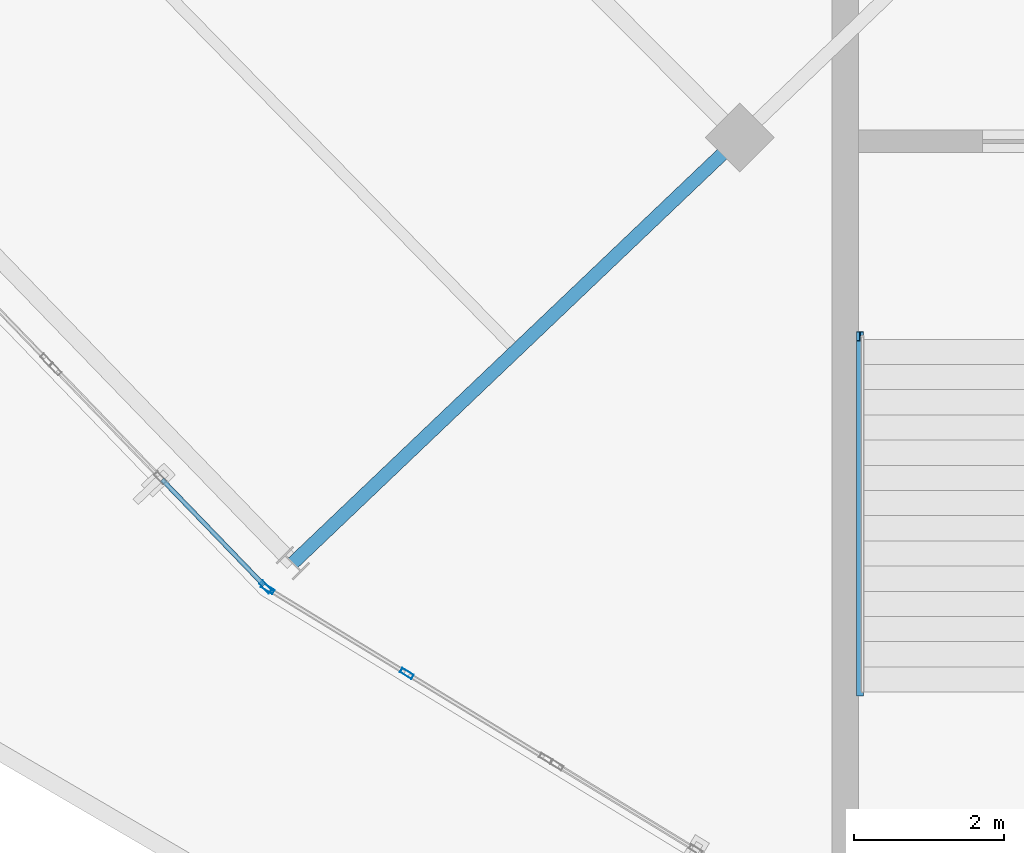
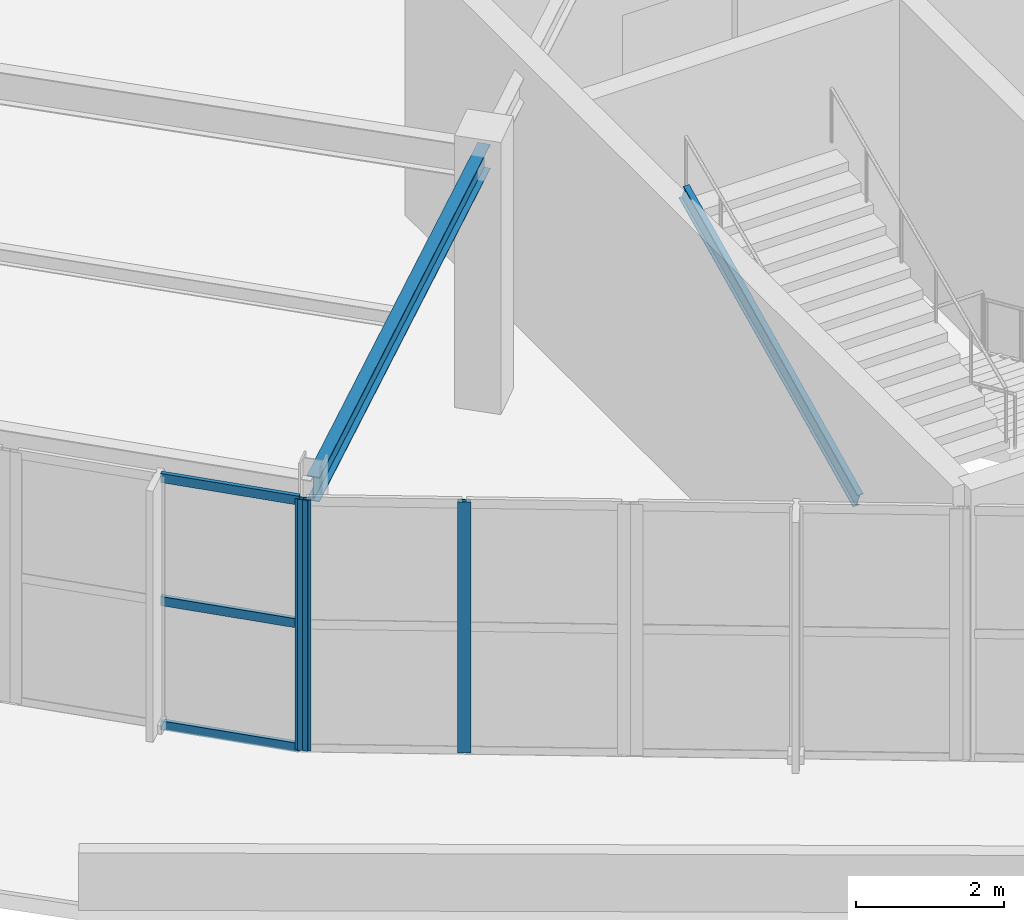
# One storey, part 22 of 126: 7 members, 1 beam, 2 elements without a shape of their own.
"""IFC4 building model written with IfcOpenShell, lengths in metres."""

from ifc_helpers import new_model, si_unit, direction, frame, origin, origin_2d, place, context, subcontext, project, spatial, hollow_rectangle, i_section, extrude, material, layer, layer_set, material_profile, profile_set, type_object, element, aggregate, save


model = new_model("IFC4")

# Units and contexts
model_context = context("Model", 3, precision=1e-05, world=origin(), true_north=direction((0.0, 1.0)))
body_context = subcontext(model_context, "Body", "Model", "MODEL_VIEW")
ifc_project = project(units=[si_unit("LENGTHUNIT", "METRE"), si_unit("AREAUNIT", "SQUARE_METRE"), si_unit("VOLUMEUNIT", "CUBIC_METRE"), si_unit("PLANEANGLEUNIT", "RADIAN"), si_unit("MASSUNIT", "GRAM", prefix="KILO")], contexts=[model_context])

# Site, building, storey
site_placement = place(None, origin())
site = spatial("IfcSite", under=ifc_project, at=site_placement, CompositionType="ELEMENT")
building_placement = place(site_placement, origin())
building = spatial("IfcBuilding", under=site, at=building_placement, Name="Kalgoora Escarpment Arena", CompositionType="ELEMENT")
storey_placement = place(building_placement, frame((0.0, 0.0, 18.89990234375)))
storey = spatial("IfcBuildingStorey", under=building, at=storey_placement, Name="L04", CompositionType="ELEMENT", Elevation=18.89990234375)

# Beam
ifc_material_1 = material(Name="Structural steel AS/NZS 3679 (300 MPa)", Category="steel")
ifc_material_profile_1 = material_profile(ifc_material_1, i_section(OverallWidth=0.177978515625, OverallDepth=0.406005859375, WebThickness=0.0078125, FlangeThickness=0.0126953125, at=origin_2d()))
ifc_profile_set_1 = profile_set([ifc_material_profile_1], Name="Structural steel AS/NZS 3679 (300 MPa)")
beam_type = type_object("IfcBeamType", Name="BM-GIRDER-410UB59.7", PredefinedType="USERDEFINED", material=ifc_profile_set_1)
beam_placement = place(storey_placement, frame((47.5693359375, 29.351806640625, 4.007080078125), z_axis=(-0.724130144905, -0.689663347757, 0.0), x_axis=(0.689663347757, -0.724130144905, 0.0)))
element("IfcBeam", 1, at=beam_placement, inside=storey, type_object=beam_type, Name="L04 Radial concourse girder 410UB59.7", ObjectType="GIRDER", PredefinedType="USERDEFINED", context=body_context, shape_type="SweptSolid", body=[
    extrude(i_section(OverallWidth=0.177978515625, OverallDepth=0.406005859375, WebThickness=0.0078125, FlangeThickness=0.0126953125, at=origin_2d()), origin(), (0.0, 0.0, 1.0), 8.20263671875),
])

# Curtain wall, members
ifc_material_2 = material(Name=" Champagne anodised aluminium & double-glazed low-E", Category="aluminium")
ifc_layer_1 = layer(ifc_material_2, 0.154052734375)
ifc_layer_set_1 = layer_set([ifc_layer_1], Name="CW-UNIT-06")
curtain_wall_type_1 = type_object("IfcCurtainWallType", Name="CW-UNIT-06", PredefinedType="NOTDEFINED", material=ifc_layer_set_1)
curtain_wall_1_placement = place(storey_placement, origin())
curtain_wall_1 = element("IfcCurtainWall", 2, at=curtain_wall_1_placement, inside=storey, type_object=curtain_wall_type_1, Name="L04 unitised facade curtain wall 125", PredefinedType="NOTDEFINED")
ifc_material_3 = material(Name="Anodised aluminium 6063-T6", Category="aluminium")
ifc_material_profile_2 = material_profile(ifc_material_3, hollow_rectangle(XDim=0.06494140625, YDim=0.179931640625, WallThickness=0.00390625, at=origin_2d()))
ifc_profile_set_2 = profile_set([ifc_material_profile_2], Name="Anodised aluminium 6063-T6")
member_type_1 = type_object("IfcMemberType", Name="MEM-CW-MULL-180", PredefinedType="MULLION", material=ifc_profile_set_2)
member_1_placement = place(storey_placement, frame((43.145263671875, 22.22705078125, 0.02001953125), z_axis=(0.0, 0.0, 1.0), x_axis=(-0.521039836105, -0.85353235978, 0.0)))
member_1 = element("IfcMember", 3, at=member_1_placement, type_object=member_type_1, Name="CW-06 mullion 2", PredefinedType="MULLION", context=body_context, shape_type="SweptSolid", body=[
    extrude(hollow_rectangle(XDim=0.06494140625, YDim=0.179931640625, WallThickness=0.00390625, at=origin_2d()), origin(), (0.0, 0.0, 1.0), 4.150146484375),
])
member_2_placement = place(storey_placement, frame((41.295654296875, 23.35595703125, 0.02001953125), z_axis=(0.0, 0.0, 1.0), x_axis=(-0.521039836105, -0.85353235978, 0.0)))
member_2 = element("IfcMember", 4, at=member_2_placement, type_object=member_type_1, Name="CW-06 mullion 3", PredefinedType="MULLION", context=body_context, shape_type="SweptSolid", body=[
    extrude(hollow_rectangle(XDim=0.06494140625, YDim=0.179931640625, WallThickness=0.00390625, at=origin_2d()), origin(), (0.0, 0.0, 1.0), 4.150146484375),
])
aggregate(curtain_wall_1, [member_1, member_2])

ifc_material_4 = material(Name=" Champagne anodised aluminium & double-glazed low-E", Category="aluminium")
ifc_layer_2 = layer(ifc_material_4, 0.157958984375)
ifc_layer_set_2 = layer_set([ifc_layer_2], Name="CW-UNIT-07")
curtain_wall_type_2 = type_object("IfcCurtainWallType", Name="CW-UNIT-07", PredefinedType="NOTDEFINED", material=ifc_layer_set_2)
curtain_wall_2_placement = place(storey_placement, origin())
curtain_wall_2 = element("IfcCurtainWall", 5, at=curtain_wall_2_placement, inside=storey, type_object=curtain_wall_type_2, Name="L04 unitised facade curtain wall 126", PredefinedType="NOTDEFINED")
member_3_placement = place(storey_placement, frame((41.269287109375, 23.377197265625, 0.02001953125), z_axis=(0.0, 0.0, 1.0), x_axis=(-0.719779772297, -0.69420247723, 0.0)))
member_3 = element("IfcMember", 6, at=member_3_placement, type_object=member_type_1, Name="CW-07 mullion 1", PredefinedType="MULLION", context=body_context, shape_type="SweptSolid", body=[
    extrude(hollow_rectangle(XDim=0.06494140625, YDim=0.179931640625, WallThickness=0.00390625, at=origin_2d()), origin(), (0.0, 0.0, 1.0), 4.150146484375),
])
ifc_material_5 = material(Name="Anodised aluminium 6063-T6", Category="aluminium")
ifc_material_profile_3 = material_profile(ifc_material_5, hollow_rectangle(XDim=0.06005859375, YDim=0.14990234375, WallThickness=0.00341796875, at=origin_2d()))
ifc_profile_set_3 = profile_set([ifc_material_profile_3], Name="Anodised aluminium 6063-T6")
member_type_2 = type_object("IfcMemberType", Name="MEM-CW-TRAN-150", PredefinedType="USERDEFINED", material=ifc_profile_set_3)
member_4_placement = place(storey_placement, frame((41.246826171875, 23.400634765625, 0.050048828125), z_axis=(-0.694216687928, 0.719766066304, 0.0), x_axis=(-0.719766066304, -0.694216687928, 0.0)))
member_4 = element("IfcMember", 7, at=member_4_placement, type_object=member_type_2, Name="CW-07 transom 1.1", ObjectType="TRANSOM", PredefinedType="USERDEFINED", context=body_context, shape_type="SweptSolid", body=[
    extrude(hollow_rectangle(XDim=0.06005859375, YDim=0.14990234375, WallThickness=0.00341796875, at=origin_2d()), origin(), (0.0, 0.0, 1.0), 1.949462890625),
])
member_5_placement = place(storey_placement, frame((41.246826171875, 23.400634765625, 2.10498046875), z_axis=(-0.694216687928, 0.719766066304, 0.0), x_axis=(-0.719766066304, -0.694216687928, 0.0)))
member_5 = element("IfcMember", 8, at=member_5_placement, type_object=member_type_2, Name="CW-07 transom 1.2", ObjectType="TRANSOM", PredefinedType="USERDEFINED", context=body_context, shape_type="SweptSolid", body=[
    extrude(hollow_rectangle(XDim=0.06005859375, YDim=0.14990234375, WallThickness=0.00341796875, at=origin_2d()), origin(), (0.0, 0.0, 1.0), 1.949462890625),
])
member_6_placement = place(storey_placement, frame((41.246826171875, 23.400634765625, 4.14013671875), z_axis=(-0.694216687928, 0.719766066304, 0.0), x_axis=(-0.719766066304, -0.694216687928, 0.0)))
member_6 = element("IfcMember", 9, at=member_6_placement, type_object=member_type_2, Name="CW-07 transom 1.3", ObjectType="TRANSOM", PredefinedType="USERDEFINED", context=body_context, shape_type="SweptSolid", body=[
    extrude(hollow_rectangle(XDim=0.06005859375, YDim=0.14990234375, WallThickness=0.00341796875, at=origin_2d()), origin(), (0.0, 0.0, 1.0), 1.949462890625),
])
aggregate(curtain_wall_2, [member_3, member_4, member_5, member_6])

# Member
ifc_material_6 = material(Name="Structural steel AS/NZS 3679 (300 MPa)", Category="steel")
ifc_material_profile_4 = material_profile(ifc_material_6, i_section(OverallWidth=0.090087890625, OverallDepth=0.300048828125, WebThickness=0.008056640625, FlangeThickness=0.01611328125, at=origin_2d()))
ifc_profile_set_4 = profile_set([ifc_material_profile_4], Name="Structural steel AS/NZS 3679 (300 MPa)")
member_type_3 = type_object("IfcMemberType", Name="MEM-STRINGER-PFC", PredefinedType="STRINGER", material=ifc_profile_set_4)
member_7_placement = place(storey_placement, frame((49.169921875, 21.989990234375, 2.210205078125), z_axis=(0.0, 0.902682652253, 0.430306901317), x_axis=(-1.0, 0.0, 0.0)))
element("IfcMember", 10, at=member_7_placement, inside=storey, type_object=member_type_3, Name="ST05 L04 steel stair stringer 2", PredefinedType="STRINGER", context=body_context, shape_type="SweptSolid", body=[
    extrude(i_section(OverallWidth=0.090087890625, OverallDepth=0.300048828125, WebThickness=0.008056640625, FlangeThickness=0.01611328125, at=origin_2d()), origin(), (0.0, 0.0, 1.0), 5.228759765625),
])

save(model, "model.ifc")
